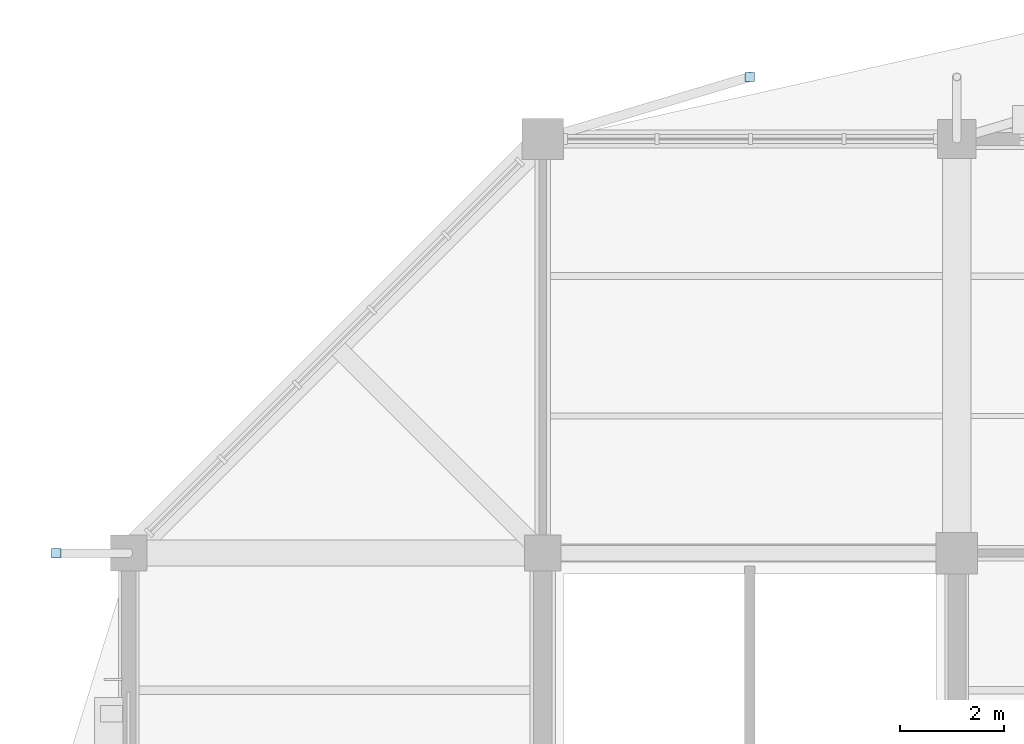
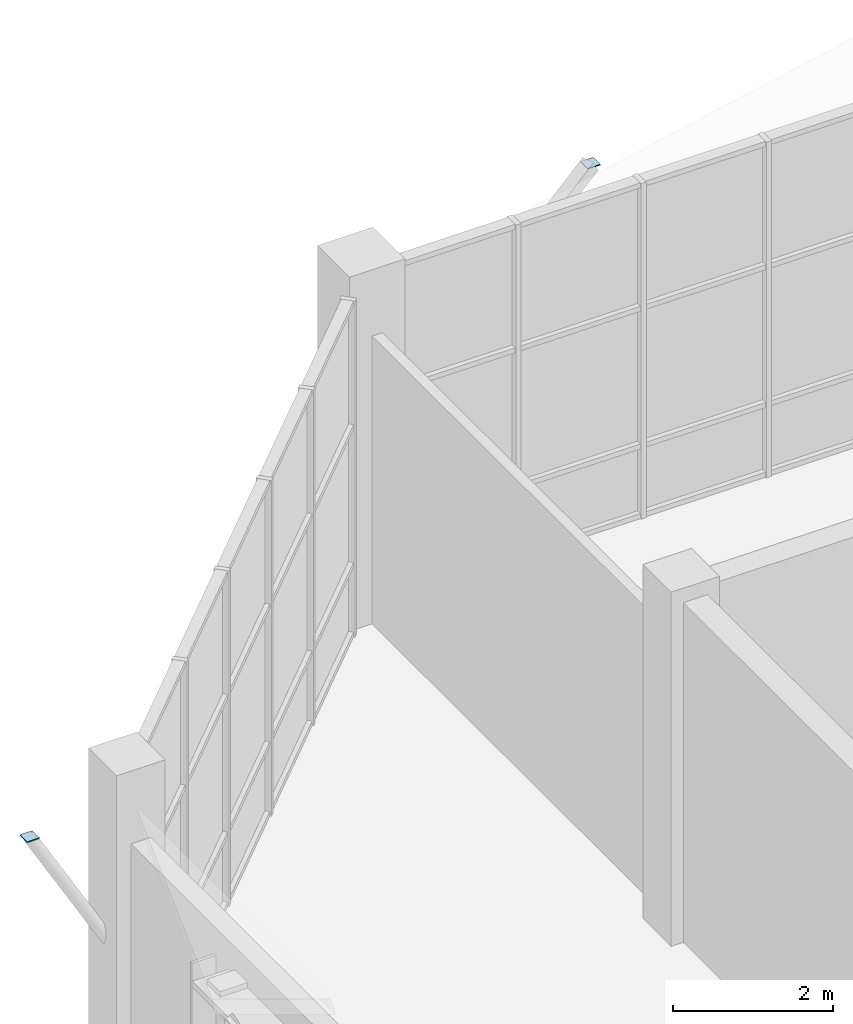
# One storey, part 100 of 122: 2 plates.
"""IFC4 building model written with IfcOpenShell, lengths in metres."""

from ifc_helpers import new_model, si_unit, direction, frame, origin, origin_2d, place, context, subcontext, project, spatial, rectangle, extrude, material, layer, layer_set, type_object, element, save


model = new_model("IFC4")

# Units and contexts
model_context = context("Model", 3, precision=1e-05, world=origin(), true_north=direction((0.0, 1.0)))
body_context = subcontext(model_context, "Body", "Model", "MODEL_VIEW")
ifc_project = project(units=[si_unit("LENGTHUNIT", "METRE"), si_unit("AREAUNIT", "SQUARE_METRE"), si_unit("VOLUMEUNIT", "CUBIC_METRE"), si_unit("PLANEANGLEUNIT", "RADIAN"), si_unit("MASSUNIT", "GRAM", prefix="KILO")], contexts=[model_context])

# Site, building, storey
site_placement = place(None, origin())
site = spatial("IfcSite", under=ifc_project, at=site_placement, CompositionType="ELEMENT")
building_placement = place(site_placement, origin())
building = spatial("IfcBuilding", under=site, at=building_placement, Name="Tenunan Teduh Sports Hall", CompositionType="ELEMENT")
storey_placement = place(building_placement, frame((0.0, 0.0, 5.39990234375)))
storey = spatial("IfcBuildingStorey", under=building, at=storey_placement, Name="L01", CompositionType="ELEMENT", Elevation=5.39990234375)

# Plates
ifc_material = material(Name="Steel S355", Category="steel")
ifc_layer = layer(ifc_material, 0.01611328125)
ifc_layer_set = layer_set([ifc_layer], Name="Steel S355")
plate_type = type_object("IfcPlateType", Name="PLT-CAP-180", PredefinedType="SHEET", material=ifc_layer_set)
for number, where, z_axis, x_axis, name in (
    (1, (18.0, 119.199951171875, 4.6201171875), (0.0, 0.0, 1.0), (1.0, 0.0, 0.0), "PLT-CAP-L01-008"),
    (2, (4.60009765625, 110.0, 4.6201171875), (0.0, 0.0, 1.0), (1.0, 0.0, 0.0), "PLT-CAP-L01-010"),
):
    element("IfcPlate", number, at=place(storey_placement, frame(where, z_axis=z_axis, x_axis=x_axis)), inside=storey, type_object=plate_type, Name=name, PredefinedType="SHEET", context=body_context, shape_type="SweptSolid", body=[
        extrude(rectangle(XDim=0.179931640625, YDim=0.179931640625, at=origin_2d()), origin(), (0.0, 0.0, 1.0), 0.01611328125),
    ])

save(model, "model.ifc")
